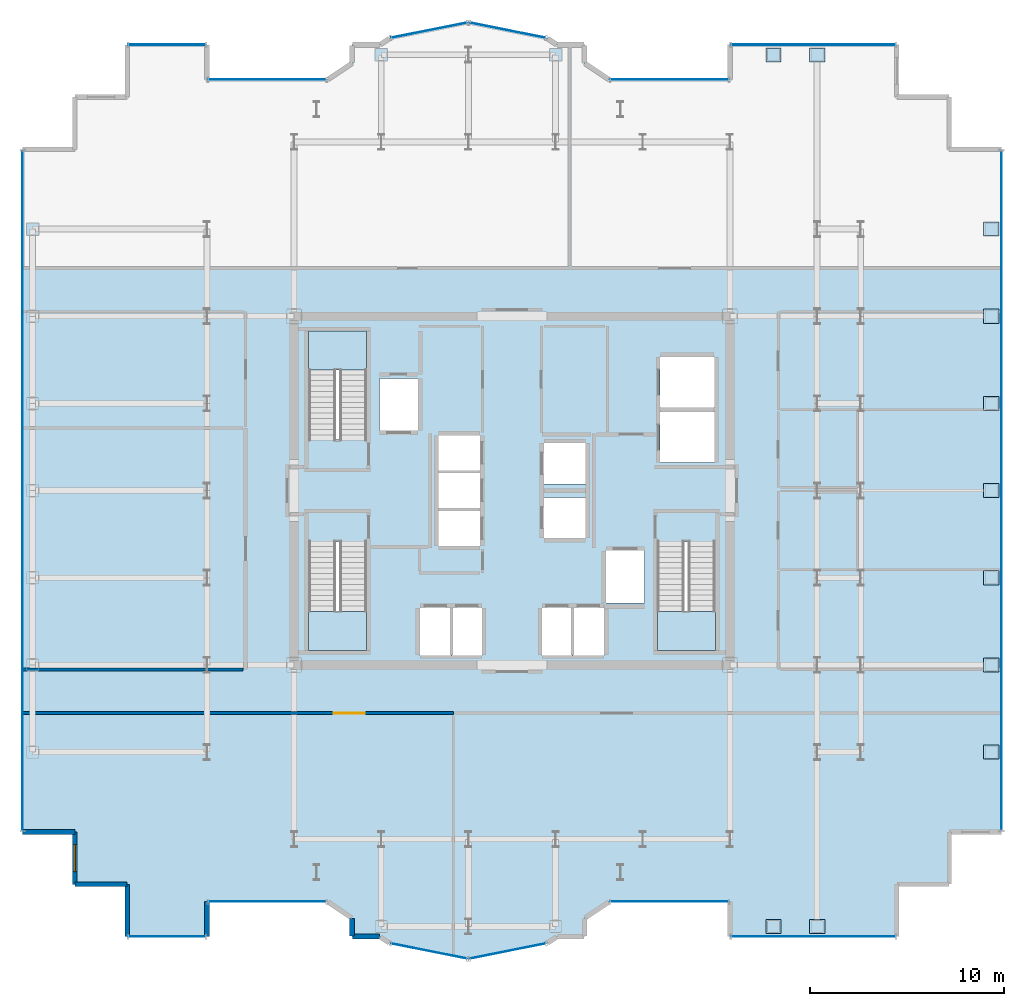
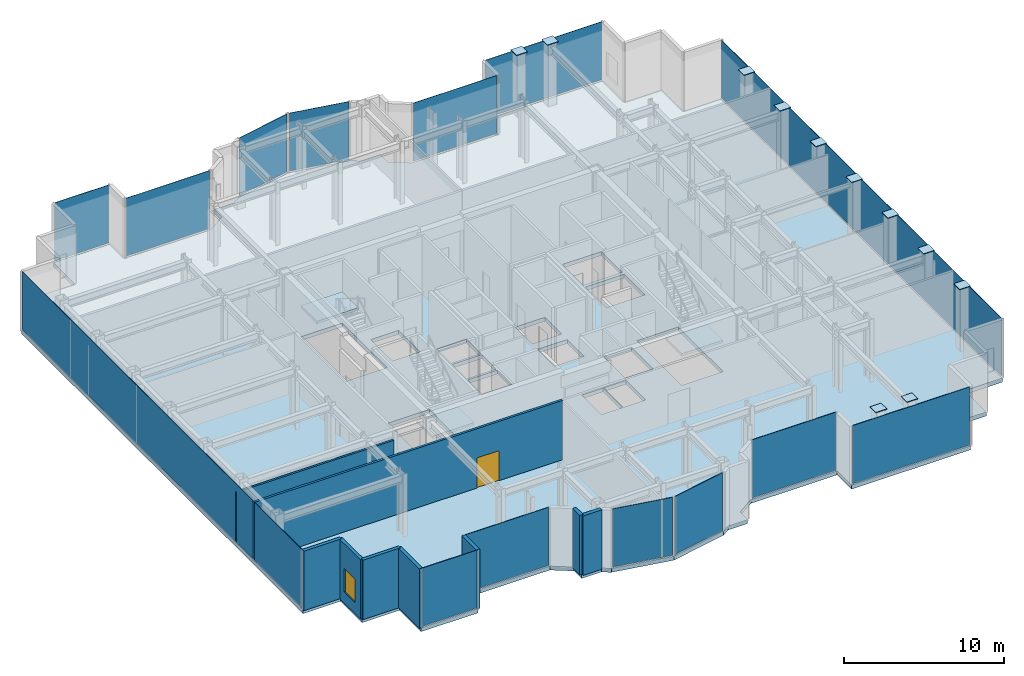
# One storey, part 13 of 20: 25 plates, 9 walls, 4 slabs, 1 door, 1 window, 2 openings, 17 elements without a shape of their own.
"""IFC4 building model written with IfcOpenShell, lengths in metres."""

from ifc_helpers import new_model, si_unit, direction, frame, frame_2d, origin, origin_2d, place, context, subcontext, project, spatial, polyline, rectangle, outline, extrude, source, transform, mapped, material, layer, layer_set, type_object, element, fill, aggregate, save


model = new_model("IFC4")

# Units and contexts
model_context = context("Model", 3, precision=1e-05, world=origin(), true_north=direction((0.0, 1.0)))
body_context = subcontext(model_context, "Body", "Model", "MODEL_VIEW")
ifc_project = project(units=[si_unit("LENGTHUNIT", "METRE"), si_unit("AREAUNIT", "SQUARE_METRE"), si_unit("VOLUMEUNIT", "CUBIC_METRE"), si_unit("PLANEANGLEUNIT", "RADIAN"), si_unit("MASSUNIT", "GRAM", prefix="KILO")], contexts=[model_context])

# Site, building, storey
site_placement = place(None, origin())
site = spatial("IfcSite", under=ifc_project, at=site_placement, CompositionType="ELEMENT")
building_placement = place(site_placement, origin())
building = spatial("IfcBuilding", under=site, at=building_placement, Name="Nefas-Gora Pilgrimage Tower", CompositionType="ELEMENT")
storey_placement = place(building_placement, frame((0.0, 0.0, 259.800048828125)))
storey = spatial("IfcBuildingStorey", under=building, at=storey_placement, Name="L65", CompositionType="ELEMENT", Elevation=259.800048828125)

# Slab
ifc_material_1 = material(Name="Concrete C45/55", Category="concrete")
ifc_layer_1 = layer(ifc_material_1, 0.300048828125)
ifc_layer_set_1 = layer_set([ifc_layer_1], Name="Concrete C45/55")
slab_type_1 = type_object("IfcSlabType", Name="SLB-SPEC-300", PredefinedType="FLOOR", material=ifc_layer_set_1)
slab_1_placement = place(storey_placement, frame((0.0, 0.0, -0.300048828125)))
element("IfcSlab", 1, at=slab_1_placement, inside=storey, type_object=slab_type_1, Name="L65 Structural Floor Slab", PredefinedType="FLOOR", context=body_context, shape_type="SweptSolid", body=[
    extrude(outline(polyline([(5.01806640625, -21.219970703125), (11.25, -21.219970703125), (11.25, -23.02001953125), (19.8701171875, -23.02001953125), (19.8701171875, -20.320068359375), (22.570068359375, -20.320068359375), (22.570068359375, -17.6201171875), (25.27001953125, -17.6201171875), (25.27001953125, 17.6201171875), (22.570068359375, 17.6201171875), (22.570068359375, 20.320068359375), (19.8701171875, 20.320068359375), (19.8701171875, 23.02001953125), (11.25, 23.02001953125), (11.25, 21.219970703125), (5.01806640625, 21.219970703125), (3.75, 22.0673828125), (3.75, 23.02001953125), (2.32421875, 23.02001953125), (1.807373046875, 23.365234375), (-2.25, 24.17236328125), (-6.307373046875, 23.365234375), (-6.82421875, 23.02001953125), (-8.25, 23.02001953125), (-8.25, 22.0673828125), (-9.51806640625, 21.219970703125), (-15.75, 21.219970703125), (-15.75, 23.02001953125), (-19.8701171875, 23.02001953125), (-19.8701171875, 20.320068359375), (-22.570068359375, 20.320068359375), (-22.570068359375, 17.6201171875), (-25.27001953125, 17.6201171875), (-25.27001953125, -17.6201171875), (-22.570068359375, -17.6201171875), (-22.570068359375, -20.320068359375), (-19.8701171875, -20.320068359375), (-19.8701171875, -23.02001953125), (-15.75, -23.02001953125), (-15.75, -21.219970703125), (-9.51806640625, -21.219970703125), (-8.25, -22.0673828125), (-8.25, -23.02001953125), (-6.82421875, -23.02001953125), (-6.307373046875, -23.365234375), (-2.25, -24.17236328125), (1.807373046875, -23.365234375), (2.32421875, -23.02001953125), (3.75, -23.02001953125), (3.75, -22.0673828125), (5.01806640625, -21.219970703125)]), holes=[polyline([(-10.5, 2.639892578125), (-10.5, 8.25), (-7.5, 8.25), (-7.5, 2.639892578125), (-10.5, 2.639892578125)]), polyline([(10.5, -2.639892578125), (10.5, -8.25), (7.5, -8.25), (7.5, -2.639892578125), (10.5, -2.639892578125)]), polyline([(-7.5, -2.639892578125), (-7.5, -8.25), (-10.5, -8.25), (-10.5, -2.639892578125), (-7.5, -2.639892578125)]), polyline([(-6.85009765625, 5.800048828125), (-4.85009765625, 5.800048828125), (-4.85009765625, 3.10009765625), (-6.85009765625, 3.10009765625), (-6.85009765625, 5.800048828125)]), polyline([(4.85009765625, -3.10009765625), (6.85009765625, -3.10009765625), (6.85009765625, -5.800048828125), (4.85009765625, -5.800048828125), (4.85009765625, -3.10009765625)]), polyline([(7.64990234375, 4.050048828125), (10.449951171875, 4.050048828125), (10.449951171875, 1.449951171875), (7.64990234375, 1.449951171875), (7.64990234375, 4.050048828125)]), polyline([(7.64990234375, 6.89990234375), (10.449951171875, 6.89990234375), (10.449951171875, 4.300048828125), (7.64990234375, 4.300048828125), (7.64990234375, 6.89990234375)]), polyline([(-4.75, -6.050048828125), (-3.14990234375, -6.050048828125), (-3.14990234375, -8.5), (-4.75, -8.5), (-4.75, -6.050048828125)]), polyline([(-3.10009765625, -6.050048828125), (-1.550048828125, -6.050048828125), (-1.550048828125, -8.5), (-3.10009765625, -8.5), (-3.10009765625, -6.050048828125)]), polyline([(1.550048828125, -6.050048828125), (3.10009765625, -6.050048828125), (3.10009765625, -8.5), (1.550048828125, -8.5), (1.550048828125, -6.050048828125)]), polyline([(3.14990234375, -6.050048828125), (4.75, -6.050048828125), (4.75, -8.5), (3.14990234375, -8.5), (3.14990234375, -6.050048828125)]), polyline([(-3.800048828125, -1.050048828125), (-1.64990234375, -1.050048828125), (-1.64990234375, -2.85009765625), (-3.800048828125, -2.85009765625), (-3.800048828125, -1.050048828125)]), polyline([(-3.800048828125, 0.89990234375), (-1.64990234375, 0.89990234375), (-1.64990234375, -0.89990234375), (-3.800048828125, -0.89990234375), (-3.800048828125, 0.89990234375)]), polyline([(-3.800048828125, 2.85009765625), (-1.64990234375, 2.85009765625), (-1.64990234375, 1.050048828125), (-3.800048828125, 1.050048828125), (-3.800048828125, 2.85009765625)]), polyline([(1.64990234375, -0.35009765625), (3.800048828125, -0.35009765625), (3.800048828125, -2.449951171875), (1.64990234375, -2.449951171875), (1.64990234375, -0.35009765625)]), polyline([(1.64990234375, 2.449951171875), (3.800048828125, 2.449951171875), (3.800048828125, 0.35009765625), (1.64990234375, 0.35009765625), (1.64990234375, 2.449951171875)])]), origin(), (0.0, 0.0, 1.0), 0.300048828125),
])

# Stair, slab
stair_type = type_object("IfcStairType", Name="STR-1400-R1714", PredefinedType="HALF_TURN_STAIR", material=ifc_material_1)
stair_1_placement = place(storey_placement, origin())
stair_1 = element("IfcStair", 2, at=stair_1_placement, inside=storey, type_object=stair_type, Name="L65 Pressurised Tower Exit Stair ST-01", PredefinedType="HALF_TURN_STAIR")
ifc_material_2 = material(Name="Concrete C40/50", Category="concrete")
ifc_layer_2 = layer(ifc_material_2, 0.199951171875)
ifc_layer_set_2 = layer_set([ifc_layer_2], Name="Concrete C40/50")
slab_type_2 = type_object("IfcSlabType", Name="STR-LAND-200", PredefinedType="LANDING", material=ifc_layer_set_2)
slab_2_placement = place(storey_placement, frame((0.0, 0.0, 2.199951171875)))
slab_2 = element("IfcSlab", 3, at=slab_2_placement, type_object=slab_type_2, Name="ST-01 landing 1", PredefinedType="LANDING", context=body_context, shape_type="SweptSolid", body=[
    extrude(outline(polyline([(-7.5, 6.239990234375), (-7.5, 8.25), (-10.5, 8.25), (-10.5, 6.239990234375), (-7.5, 6.239990234375)])), origin(), (0.0, 0.0, 1.0), 0.199951171875),
])
aggregate(stair_1, [slab_2])

stair_2_placement = place(storey_placement, origin())
stair_2 = element("IfcStair", 4, at=stair_2_placement, inside=storey, type_object=stair_type, Name="L65 Pressurised Tower Exit Stair ST-02", PredefinedType="HALF_TURN_STAIR")
slab_3_placement = place(storey_placement, frame((0.0, 0.0, 2.199951171875)))
slab_3 = element("IfcSlab", 5, at=slab_3_placement, type_object=slab_type_2, Name="ST-02 landing 1", PredefinedType="LANDING", context=body_context, shape_type="SweptSolid", body=[
    extrude(outline(polyline([(7.5, -6.239990234375), (7.5, -8.25), (10.5, -8.25), (10.5, -6.239990234375), (7.5, -6.239990234375)])), origin(), (0.0, 0.0, 1.0), 0.199951171875),
])
aggregate(stair_2, [slab_3])

stair_3_placement = place(storey_placement, origin())
stair_3 = element("IfcStair", 6, at=stair_3_placement, inside=storey, type_object=stair_type, Name="L65 Pressurised Tower Exit Stair ST-03", PredefinedType="HALF_TURN_STAIR")
slab_4_placement = place(storey_placement, frame((0.0, 0.0, 2.199951171875)))
slab_4 = element("IfcSlab", 7, at=slab_4_placement, type_object=slab_type_2, Name="ST-03 landing 1", PredefinedType="LANDING", context=body_context, shape_type="SweptSolid", body=[
    extrude(outline(polyline([(-10.5, -6.239990234375), (-10.5, -8.25), (-7.5, -8.25), (-7.5, -6.239990234375), (-10.5, -6.239990234375)])), origin(), (0.0, 0.0, 1.0), 0.199951171875),
])
aggregate(stair_3, [slab_4])

# Plates
ifc_material_3 = material(Name="Steel S460", Category="steel")
ifc_layer_3 = layer(ifc_material_3, 0.0400390625)
ifc_layer_set_3 = layer_set([ifc_layer_3], Name="Steel S460")
plate_type_1 = type_object("IfcPlateType", Name="PLT-ENDCAP-40", PredefinedType="SHEET", material=ifc_layer_set_3)
shared_shape_1 = source(origin(), body_context, "Body", "SweptSolid", [
    extrude(rectangle(XDim=0.79296875, YDim=0.72998046875, at=origin_2d()), origin(), (0.0, 0.0, 1.0), 0.050048828125),
])
for number, where, z_axis, x_axis, name in (
    (8, (13.5, -22.5, 4.77490234375), (0.0, 0.0, 1.0), (1.0, 0.0, 0.0), "L65 Setback Hollow Column Top Cap Plate 45"),
    (9, (13.5, 22.5, 4.77490234375), (0.0, 0.0, 1.0), (1.0, 0.0, 0.0), "L65 Setback Hollow Column Top Cap Plate 46"),
    (10, (15.75, -22.5, 4.77490234375), (0.0, 0.0, 1.0), (1.0, 0.0, 0.0), "L65 Setback Hollow Column Top Cap Plate 47"),
    (11, (15.75, 22.5, 4.77490234375), (0.0, 0.0, 1.0), (1.0, 0.0, 0.0), "L65 Setback Hollow Column Top Cap Plate 48"),
    (12, (24.75, -13.5, 4.77490234375), (0.0, 0.0, 1.0), (1.0, 0.0, 0.0), "L65 Setback Hollow Column Top Cap Plate 49"),
    (13, (24.75, -9.0, 4.77490234375), (0.0, 0.0, 1.0), (1.0, 0.0, 0.0), "L65 Setback Hollow Column Top Cap Plate 50"),
    (14, (24.75, -4.5, 4.77490234375), (0.0, 0.0, 1.0), (1.0, 0.0, 0.0), "L65 Setback Hollow Column Top Cap Plate 51"),
    (15, (24.75, 0.0, 4.77490234375), (0.0, 0.0, 1.0), (1.0, 0.0, 0.0), "L65 Setback Hollow Column Top Cap Plate 52"),
    (16, (24.75, 4.5, 4.77490234375), (0.0, 0.0, 1.0), (1.0, 0.0, 0.0), "L65 Setback Hollow Column Top Cap Plate 53"),
    (17, (24.75, 9.0, 4.77490234375), (0.0, 0.0, 1.0), (1.0, 0.0, 0.0), "L65 Setback Hollow Column Top Cap Plate 54"),
    (18, (24.75, 13.5, 4.77490234375), (0.0, 0.0, 1.0), (1.0, 0.0, 0.0), "L65 Setback Hollow Column Top Cap Plate 55"),
):
    element("IfcPlate", number, at=place(storey_placement, frame(where, z_axis=z_axis, x_axis=x_axis)), inside=storey, type_object=plate_type_1, Name=name, PredefinedType="SHEET", context=body_context, shape_type="MappedRepresentation", body=[
        mapped(shared_shape_1, transform((0.0, 0.0, 0.0), x_axis=(1.0, 0.0, 0.0), y_axis=(0.0, 1.0, 0.0), z_axis=(0.0, 0.0, 1.0), scale=1.0)),
    ])

# Curtain wall, plate
ifc_material_4 = material(Name="Dark ceramic-fritted solar-control aluminium-glass curtain wall", Category="aluminium")
ifc_layer_4 = layer(ifc_material_4, 0.219970703125)
ifc_layer_set_4 = layer_set([ifc_layer_4], Name="Dark ceramic-fritted solar-control aluminium-glass curtain wall")
curtain_wall_type_1 = type_object("IfcCurtainWallType", Name="CW-SYS-5", PredefinedType="NOTDEFINED", material=ifc_layer_set_4)
curtain_wall_1_placement = place(storey_placement, origin())
curtain_wall_1 = element("IfcCurtainWall", 19, at=curtain_wall_1_placement, inside=storey, type_object=curtain_wall_type_1, Name="L65 Unitised Curtain Wall CW5", PredefinedType="NOTDEFINED")
ifc_material_5 = material(Name="Dark ceramic-printed low-e insulated glass", Category="glass")
ifc_layer_5 = layer(ifc_material_5, 0.028076171875)
ifc_layer_set_5 = layer_set([ifc_layer_5], Name="Dark ceramic-printed low-e insulated glass")
plate_type_2 = type_object("IfcPlateType", Name="CWP-PNL-5", PredefinedType="CURTAIN_PANEL", material=ifc_layer_set_5)
shared_shape_2 = source(origin(), body_context, "Body", "SweptSolid", [
    extrude(rectangle(XDim=6.052001953125, YDim=0.028076171875, at=origin_2d()), origin(), (0.0, 0.0, 1.0), 4.43994140625),
])
plate_1_placement = place(storey_placement, frame((8.134033203125, -21.219970703125, 0.10009765625), z_axis=(0.0, 0.0, 1.0), x_axis=(1.0, 0.0, 0.0)))
plate_1 = element("IfcPlate", 20, at=plate_1_placement, type_object=plate_type_2, Name="CW5 Ceramic-Fritted Glazing Panel 1", PredefinedType="CURTAIN_PANEL", context=body_context, shape_type="MappedRepresentation", body=[
    mapped(shared_shape_2, transform((0.0, 0.0, 0.0), x_axis=(1.0, 0.0, 0.0), y_axis=(0.0, 1.0, 0.0), z_axis=(0.0, 0.0, 1.0), scale=1.0)),
])
aggregate(curtain_wall_1, [plate_1])

curtain_wall_2_placement = place(storey_placement, origin())
curtain_wall_2 = element("IfcCurtainWall", 21, at=curtain_wall_2_placement, inside=storey, type_object=curtain_wall_type_1, Name="L65 Unitised Curtain Wall CW5", PredefinedType="NOTDEFINED")
plate_2_placement = place(storey_placement, frame((8.134033203125, 21.219970703125, 0.10009765625), z_axis=(0.0, 0.0, 1.0), x_axis=(-1.0, 0.0, 0.0)))
plate_2 = element("IfcPlate", 22, at=plate_2_placement, type_object=plate_type_2, Name="CW5 Ceramic-Fritted Glazing Panel 1", PredefinedType="CURTAIN_PANEL", context=body_context, shape_type="MappedRepresentation", body=[
    mapped(shared_shape_2, transform((0.0, 0.0, 0.0), x_axis=(1.0, 0.0, 0.0), y_axis=(0.0, 1.0, 0.0), z_axis=(0.0, 0.0, 1.0), scale=1.0)),
])
aggregate(curtain_wall_2, [plate_2])

curtain_wall_3_placement = place(storey_placement, origin())
curtain_wall_3 = element("IfcCurtainWall", 23, at=curtain_wall_3_placement, inside=storey, type_object=curtain_wall_type_1, Name="L65 Unitised Curtain Wall CW5", PredefinedType="NOTDEFINED")
plate_3_placement = place(storey_placement, frame((-12.634033203125, 21.219970703125, 0.10009765625), z_axis=(0.0, 0.0, 1.0), x_axis=(-1.0, 0.0, 0.0)))
plate_3 = element("IfcPlate", 24, at=plate_3_placement, type_object=plate_type_2, Name="CW5 Ceramic-Fritted Glazing Panel 1", PredefinedType="CURTAIN_PANEL", context=body_context, shape_type="MappedRepresentation", body=[
    mapped(shared_shape_2, transform((0.0, 0.0, 0.0), x_axis=(1.0, 0.0, 0.0), y_axis=(0.0, 1.0, 0.0), z_axis=(0.0, 0.0, 1.0), scale=1.0)),
])
aggregate(curtain_wall_3, [plate_3])

curtain_wall_4_placement = place(storey_placement, origin())
curtain_wall_4 = element("IfcCurtainWall", 25, at=curtain_wall_4_placement, inside=storey, type_object=curtain_wall_type_1, Name="L65 Unitised Curtain Wall CW5", PredefinedType="NOTDEFINED")
plate_4_placement = place(storey_placement, frame((-12.634033203125, -21.219970703125, 0.10009765625), z_axis=(0.0, 0.0, 1.0), x_axis=(1.0, 0.0, 0.0)))
plate_4 = element("IfcPlate", 26, at=plate_4_placement, type_object=plate_type_2, Name="CW5 Ceramic-Fritted Glazing Panel 1", PredefinedType="CURTAIN_PANEL", context=body_context, shape_type="MappedRepresentation", body=[
    mapped(shared_shape_2, transform((0.0, 0.0, 0.0), x_axis=(1.0, 0.0, 0.0), y_axis=(0.0, 1.0, 0.0), z_axis=(0.0, 0.0, 1.0), scale=1.0)),
])
aggregate(curtain_wall_4, [plate_4])

curtain_wall_5_placement = place(storey_placement, origin())
curtain_wall_5 = element("IfcCurtainWall", 27, at=curtain_wall_5_placement, inside=storey, type_object=curtain_wall_type_1, Name="L65 Unitised Curtain Wall CW5", PredefinedType="NOTDEFINED")
shared_shape_3 = source(origin(), body_context, "Body", "SweptSolid", [
    extrude(rectangle(XDim=3.956787109375, YDim=0.028076171875, at=origin_2d()), origin(), (0.0, 0.0, 1.0), 4.43994140625),
])
plate_5_placement = place(storey_placement, frame((-0.22119140625, 23.768798828125, 0.10009765625), z_axis=(0.0, 0.0, 1.0), x_axis=(-0.980782896852, 0.195102304554, 0.0)))
plate_5 = element("IfcPlate", 28, at=plate_5_placement, type_object=plate_type_2, Name="CW5 Ceramic-Fritted Glazing Panel 1", PredefinedType="CURTAIN_PANEL", context=body_context, shape_type="MappedRepresentation", body=[
    mapped(shared_shape_3, transform((0.0, 0.0, 0.0), x_axis=(1.0, 0.0, 0.0), y_axis=(0.0, 1.0, 0.0), z_axis=(0.0, 0.0, 1.0), scale=1.0)),
])
aggregate(curtain_wall_5, [plate_5])

curtain_wall_6_placement = place(storey_placement, origin())
curtain_wall_6 = element("IfcCurtainWall", 29, at=curtain_wall_6_placement, inside=storey, type_object=curtain_wall_type_1, Name="L65 Unitised Curtain Wall CW5", PredefinedType="NOTDEFINED")
plate_6_placement = place(storey_placement, frame((-4.278564453125, 23.768798828125, 0.10009765625), z_axis=(0.0, 0.0, 1.0), x_axis=(-0.980782896852, -0.195102304554, 0.0)))
plate_6 = element("IfcPlate", 30, at=plate_6_placement, type_object=plate_type_2, Name="CW5 Ceramic-Fritted Glazing Panel 1", PredefinedType="CURTAIN_PANEL", context=body_context, shape_type="MappedRepresentation", body=[
    mapped(shared_shape_3, transform((0.0, 0.0, 0.0), x_axis=(1.0, 0.0, 0.0), y_axis=(0.0, 1.0, 0.0), z_axis=(0.0, 0.0, 1.0), scale=1.0)),
])
aggregate(curtain_wall_6, [plate_6])

curtain_wall_7_placement = place(storey_placement, origin())
curtain_wall_7 = element("IfcCurtainWall", 31, at=curtain_wall_7_placement, inside=storey, type_object=curtain_wall_type_1, Name="L65 Unitised Curtain Wall CW5", PredefinedType="NOTDEFINED")
plate_7_placement = place(storey_placement, frame((-4.278564453125, -23.768798828125, 0.10009765625), z_axis=(0.0, 0.0, 1.0), x_axis=(0.980782896852, -0.195102304554, 0.0)))
plate_7 = element("IfcPlate", 32, at=plate_7_placement, type_object=plate_type_2, Name="CW5 Ceramic-Fritted Glazing Panel 1", PredefinedType="CURTAIN_PANEL", context=body_context, shape_type="MappedRepresentation", body=[
    mapped(shared_shape_3, transform((0.0, 0.0, 0.0), x_axis=(1.0, 0.0, 0.0), y_axis=(0.0, 1.0, 0.0), z_axis=(0.0, 0.0, 1.0), scale=1.0)),
])
aggregate(curtain_wall_7, [plate_7])

curtain_wall_8_placement = place(storey_placement, origin())
curtain_wall_8 = element("IfcCurtainWall", 33, at=curtain_wall_8_placement, inside=storey, type_object=curtain_wall_type_1, Name="L65 Unitised Curtain Wall CW5", PredefinedType="NOTDEFINED")
plate_8_placement = place(storey_placement, frame((-0.221435546875, -23.768798828125, 0.10009765625), z_axis=(0.0, 0.0, 1.0), x_axis=(0.980782896852, 0.195102304554, 0.0)))
plate_8 = element("IfcPlate", 34, at=plate_8_placement, type_object=plate_type_2, Name="CW5 Ceramic-Fritted Glazing Panel 1", PredefinedType="CURTAIN_PANEL", context=body_context, shape_type="MappedRepresentation", body=[
    mapped(shared_shape_3, transform((0.0, 0.0, 0.0), x_axis=(1.0, 0.0, 0.0), y_axis=(0.0, 1.0, 0.0), z_axis=(0.0, 0.0, 1.0), scale=1.0)),
])
aggregate(curtain_wall_8, [plate_8])

ifc_layer_6 = layer(ifc_material_4, 0.219970703125)
ifc_layer_set_6 = layer_set([ifc_layer_6], Name="Dark ceramic-fritted solar-control aluminium-glass curtain wall")
curtain_wall_type_2 = type_object("IfcCurtainWallType", Name="CW-SYS-3", PredefinedType="NOTDEFINED", material=ifc_layer_set_6)
curtain_wall_9_placement = place(storey_placement, origin())
curtain_wall_9 = element("IfcCurtainWall", 35, at=curtain_wall_9_placement, inside=storey, type_object=curtain_wall_type_2, Name="L65 Unitised Curtain Wall CW3", PredefinedType="NOTDEFINED")
ifc_layer_7 = layer(ifc_material_5, 0.033935546875)
ifc_layer_set_7 = layer_set([ifc_layer_7], Name="Dark ceramic-printed low-e insulated glass")
plate_type_3 = type_object("IfcPlateType", Name="CWP-PNL-3", PredefinedType="CURTAIN_PANEL", material=ifc_layer_set_7)
shared_shape_4 = source(origin(), body_context, "Body", "SweptSolid", [
    extrude(rectangle(XDim=8.43994140625, YDim=0.033935546875, at=origin_2d()), origin(), (0.0, 0.0, 1.0), 4.43994140625),
])
plate_9_placement = place(storey_placement, frame((15.56005859375, -23.02001953125, 0.10009765625), z_axis=(0.0, 0.0, 1.0), x_axis=(1.0, 0.0, 0.0)))
plate_9 = element("IfcPlate", 36, at=plate_9_placement, type_object=plate_type_3, Name="CW3 Ceramic-Fritted Glazing Panel 1", PredefinedType="CURTAIN_PANEL", context=body_context, shape_type="MappedRepresentation", body=[
    mapped(shared_shape_4, transform((0.0, 0.0, 0.0), x_axis=(1.0, 0.0, 0.0), y_axis=(0.0, 1.0, 0.0), z_axis=(0.0, 0.0, 1.0), scale=1.0)),
])
aggregate(curtain_wall_9, [plate_9])

curtain_wall_10_placement = place(storey_placement, origin())
curtain_wall_10 = element("IfcCurtainWall", 37, at=curtain_wall_10_placement, inside=storey, type_object=curtain_wall_type_2, Name="L65 Unitised Curtain Wall CW3", PredefinedType="NOTDEFINED")
plate_10_placement = place(storey_placement, frame((15.56005859375, 23.02001953125, 0.10009765625), z_axis=(0.0, 0.0, 1.0), x_axis=(-1.0, 0.0, 0.0)))
plate_10 = element("IfcPlate", 38, at=plate_10_placement, type_object=plate_type_3, Name="CW3 Ceramic-Fritted Glazing Panel 1", PredefinedType="CURTAIN_PANEL", context=body_context, shape_type="MappedRepresentation", body=[
    mapped(shared_shape_4, transform((0.0, 0.0, 0.0), x_axis=(1.0, 0.0, 0.0), y_axis=(0.0, 1.0, 0.0), z_axis=(0.0, 0.0, 1.0), scale=1.0)),
])
aggregate(curtain_wall_10, [plate_10])

curtain_wall_11_placement = place(storey_placement, origin())
curtain_wall_11 = element("IfcCurtainWall", 39, at=curtain_wall_11_placement, inside=storey, type_object=curtain_wall_type_2, Name="L65 Unitised Curtain Wall CW3", PredefinedType="NOTDEFINED")
shared_shape_5 = source(origin(), body_context, "Body", "SweptSolid", [
    extrude(rectangle(XDim=35.06005859375, YDim=0.033935546875, at=origin_2d()), origin(), (0.0, 0.0, 1.0), 4.43994140625),
])
plate_11_placement = place(storey_placement, frame((25.27001953125, 0.0, 0.10009765625), z_axis=(0.0, 0.0, 1.0), x_axis=(0.0, 1.0, 0.0)))
plate_11 = element("IfcPlate", 40, at=plate_11_placement, type_object=plate_type_3, Name="CW3 Ceramic-Fritted Glazing Panel 1", PredefinedType="CURTAIN_PANEL", context=body_context, shape_type="MappedRepresentation", body=[
    mapped(shared_shape_5, transform((0.0, 0.0, 0.0), x_axis=(1.0, 0.0, 0.0), y_axis=(0.0, 1.0, 0.0), z_axis=(0.0, 0.0, 1.0), scale=1.0)),
])
aggregate(curtain_wall_11, [plate_11])

curtain_wall_12_placement = place(storey_placement, origin())
curtain_wall_12 = element("IfcCurtainWall", 41, at=curtain_wall_12_placement, inside=storey, type_object=curtain_wall_type_2, Name="L65 Unitised Curtain Wall CW3", PredefinedType="NOTDEFINED")
plate_12_placement = place(storey_placement, frame((-25.27001953125, 0.0, 0.10009765625), z_axis=(0.0, 0.0, 1.0), x_axis=(0.0, -1.0, 0.0)))
plate_12 = element("IfcPlate", 42, at=plate_12_placement, type_object=plate_type_3, Name="CW3 Ceramic-Fritted Glazing Panel 1", PredefinedType="CURTAIN_PANEL", context=body_context, shape_type="MappedRepresentation", body=[
    mapped(shared_shape_5, transform((0.0, 0.0, 0.0), x_axis=(1.0, 0.0, 0.0), y_axis=(0.0, 1.0, 0.0), z_axis=(0.0, 0.0, 1.0), scale=1.0)),
])
aggregate(curtain_wall_12, [plate_12])

curtain_wall_13_placement = place(storey_placement, origin())
curtain_wall_13 = element("IfcCurtainWall", 43, at=curtain_wall_13_placement, inside=storey, type_object=curtain_wall_type_2, Name="L65 Unitised Curtain Wall CW3", PredefinedType="NOTDEFINED")
shared_shape_6 = source(origin(), body_context, "Body", "SweptSolid", [
    extrude(rectangle(XDim=3.93994140625, YDim=0.033935546875, at=origin_2d()), origin(), (0.0, 0.0, 1.0), 4.43994140625),
])
plate_13_placement = place(storey_placement, frame((-17.81005859375, 23.02001953125, 0.10009765625), z_axis=(0.0, 0.0, 1.0), x_axis=(-1.0, 0.0, 0.0)))
plate_13 = element("IfcPlate", 44, at=plate_13_placement, type_object=plate_type_3, Name="CW3 Ceramic-Fritted Glazing Panel 1", PredefinedType="CURTAIN_PANEL", context=body_context, shape_type="MappedRepresentation", body=[
    mapped(shared_shape_6, transform((0.0, 0.0, 0.0), x_axis=(1.0, 0.0, 0.0), y_axis=(0.0, 1.0, 0.0), z_axis=(0.0, 0.0, 1.0), scale=1.0)),
])
aggregate(curtain_wall_13, [plate_13])

curtain_wall_14_placement = place(storey_placement, origin())
curtain_wall_14 = element("IfcCurtainWall", 45, at=curtain_wall_14_placement, inside=storey, type_object=curtain_wall_type_2, Name="L65 Unitised Curtain Wall CW3", PredefinedType="NOTDEFINED")
plate_14_placement = place(storey_placement, frame((-17.81005859375, -23.02001953125, 0.10009765625), z_axis=(0.0, 0.0, 1.0), x_axis=(1.0, 0.0, 0.0)))
plate_14 = element("IfcPlate", 46, at=plate_14_placement, type_object=plate_type_3, Name="CW3 Ceramic-Fritted Glazing Panel 1", PredefinedType="CURTAIN_PANEL", context=body_context, shape_type="MappedRepresentation", body=[
    mapped(shared_shape_6, transform((0.0, 0.0, 0.0), x_axis=(1.0, 0.0, 0.0), y_axis=(0.0, 1.0, 0.0), z_axis=(0.0, 0.0, 1.0), scale=1.0)),
])
aggregate(curtain_wall_14, [plate_14])

# Walls
ifc_material_6 = material(Name="Precast concrete C40/50", Category="concrete")
ifc_layer_8 = layer(ifc_material_6, 0.260009765625)
ifc_layer_set_8 = layer_set([ifc_layer_8], Name="Precast concrete C40/50")
wall_type_1 = type_object("IfcWallType", Name="EW-PORTAL-260", PredefinedType="SOLIDWALL", material=ifc_layer_set_8)
shared_shape_7 = source(origin(), body_context, "Body", "SweptSolid", [
    extrude(rectangle(XDim=1.800048828125, YDim=0.260009765625, at=frame_2d((0.89990234375, 0.0))), origin(), (0.0, 0.0, 1.0), 4.550048828125),
])
wall_1_placement = place(storey_placement, frame((-15.75, -23.02001953125, 0.0), z_axis=(0.0, 0.0, 1.0), x_axis=(0.0, 1.0, 0.0)))
element("IfcWall", 47, at=wall_1_placement, inside=storey, type_object=wall_type_1, Name="L65 Lobe Shoulder Precast Spandrel Pier 28", PredefinedType="SOLIDWALL", context=body_context, shape_type="MappedRepresentation", body=[
    mapped(shared_shape_7, transform((0.0, 0.0, 0.0), x_axis=(1.0, 0.0, 0.0), y_axis=(0.0, 1.0, 0.0), z_axis=(0.0, 0.0, 1.0), scale=1.0)),
])
ifc_material_7 = material(Name="Precast concrete C45/55", Category="concrete")
ifc_layer_9 = layer(ifc_material_7, 0.239990234375)
ifc_layer_set_9 = layer_set([ifc_layer_9], Name="Precast concrete C45/55")
wall_type_2 = type_object("IfcWallType", Name="EW-SERR-240", PredefinedType="SHEAR", material=ifc_layer_set_9)
shared_shape_8 = source(origin(), body_context, "Body", "SweptSolid", [
    extrude(rectangle(XDim=2.699951171875, YDim=0.239990234375, at=frame_2d((1.35009765625, 0.0))), origin(), (0.0, 0.0, 1.0), 4.550048828125),
])
wall_2_placement = place(storey_placement, frame((-25.27001953125, -17.6201171875, 0.0), z_axis=(0.0, 0.0, 1.0), x_axis=(1.0, 0.0, 0.0)))
element("IfcWall", 48, at=wall_2_placement, inside=storey, type_object=wall_type_2, Name="L65 Serrated Corner Shear Pier Wall 24", PredefinedType="SHEAR", context=body_context, shape_type="MappedRepresentation", body=[
    mapped(shared_shape_8, transform((0.0, 0.0, 0.0), x_axis=(1.0, 0.0, 0.0), y_axis=(0.0, 1.0, 0.0), z_axis=(0.0, 0.0, 1.0), scale=1.0)),
])

# Wall, opening, window
wall_3_placement = place(storey_placement, frame((-22.570068359375, -17.6201171875, 0.0), z_axis=(0.0, 0.0, 1.0), x_axis=(0.0, -1.0, 0.0)))
wall_3 = element("IfcWall", 49, at=wall_3_placement, inside=storey, type_object=wall_type_2, Name="L65 Serrated Corner Shear Pier Wall 25", PredefinedType="SHEAR", context=body_context, shape_type="MappedRepresentation", body=[
    mapped(shared_shape_8, transform((0.0, 0.0, 0.0), x_axis=(1.0, 0.0, 0.0), y_axis=(0.0, 1.0, 0.0), z_axis=(0.0, 0.0, 1.0), scale=1.0)),
])
opening_1_placement = place(wall_3_placement, frame((0.64990234375, 0.0, 0.85009765625)))
opening_1 = element("IfcOpeningElement", 50, at=opening_1_placement, cuts=wall_3, Name="Opening W-V2", PredefinedType="OPENING", context=body_context, shape_type="SweptSolid", body=[
    extrude(rectangle(XDim=1.39990234375, YDim=1.800048828125, at=frame_2d((0.699951171875, 0.89990234375))), frame((0.0, 0.1298828125, 0.0), z_axis=(0.0, -1.0, 0.0), x_axis=(1.0, 0.0, 0.0)), (0.0, 0.0, 1.0), 0.260009765625),
])
ifc_material_8 = material(Name="Dark ceramic-fritted operable aluminium-glass window", Category="aluminium")
window_type = type_object("IfcWindowType", Name="WIN-VENT-1400x1800", PartitioningType="SINGLE_PANEL", PredefinedType="WINDOW", material=ifc_material_8)
shared_shape_9 = source(origin(), body_context, "Body", "SweptSolid", [
    extrude(rectangle(XDim=1.39990234375, YDim=1.800048828125, at=frame_2d((0.699951171875, 0.89990234375))), frame((0.0, 0.030029296875, 0.0), z_axis=(0.0, -1.0, 0.0), x_axis=(1.0, 0.0, 0.0)), (0.0, 0.0, 1.0), 0.06005859375),
])
window_placement = place(opening_1_placement, origin())
window = element("IfcWindow", 51, at=window_placement, inside=storey, type_object=window_type, Name="L65 Operable Parallel-Outswing Window 25", OverallHeight=1.800048828125, OverallWidth=1.39990234375, PartitioningType="SINGLE_PANEL", PredefinedType="WINDOW", context=body_context, shape_type="MappedRepresentation", body=[
    mapped(shared_shape_9, transform((0.0, 0.0, 0.0), x_axis=(1.0, 0.0, 0.0), y_axis=(0.0, 1.0, 0.0), z_axis=(0.0, 0.0, 1.0), scale=1.0)),
])
fill(opening_1, window)

# Walls
for number, where, z_axis, x_axis, name in (
    (52, (-22.570068359375, -20.320068359375, 0.0), (0.0, 0.0, 1.0), (1.0, 0.0, 0.0), "L65 Serrated Corner Shear Pier Wall 26"),
    (53, (-19.8701171875, -20.320068359375, 0.0), (0.0, 0.0, 1.0), (0.0, -1.0, 0.0), "L65 Serrated Corner Shear Pier Wall 27"),
):
    element("IfcWall", number, at=place(storey_placement, frame(where, z_axis=z_axis, x_axis=x_axis)), inside=storey, type_object=wall_type_2, Name=name, PredefinedType="SHEAR", context=body_context, shape_type="MappedRepresentation", body=[
        mapped(shared_shape_8, transform((0.0, 0.0, 0.0), x_axis=(1.0, 0.0, 0.0), y_axis=(0.0, 1.0, 0.0), z_axis=(0.0, 0.0, 1.0), scale=1.0)),
    ])
shared_shape_10 = source(origin(), body_context, "Body", "SweptSolid", [
    extrude(rectangle(XDim=0.896728515625, YDim=0.260009765625, at=frame_2d((0.4482421875, 0.0))), origin(), (0.0, 0.0, 1.0), 4.550048828125),
])
wall_4_placement = place(storey_placement, frame((-8.25, -22.09521484375, 0.0), z_axis=(0.0, 0.0, 1.0), x_axis=(0.0, -1.0, 0.0)))
element("IfcWall", 54, at=wall_4_placement, inside=storey, type_object=wall_type_1, Name="L65 Lobe Shoulder Precast Spandrel Pier 30", PredefinedType="SOLIDWALL", context=body_context, shape_type="MappedRepresentation", body=[
    mapped(shared_shape_10, transform((0.0, 0.0, 0.0), x_axis=(1.0, 0.0, 0.0), y_axis=(0.0, 1.0, 0.0), z_axis=(0.0, 0.0, 1.0), scale=1.0)),
])
shared_shape_11 = source(origin(), body_context, "Body", "SweptSolid", [
    extrude(rectangle(XDim=1.369873046875, YDim=0.260009765625, at=frame_2d((0.68505859375, 0.0))), origin(), (0.0, 0.0, 1.0), 4.550048828125),
])
wall_5_placement = place(storey_placement, frame((-8.221923828125, -23.02001953125, 0.0), z_axis=(0.0, 0.0, 1.0), x_axis=(1.0, 0.0, 0.0)))
element("IfcWall", 55, at=wall_5_placement, inside=storey, type_object=wall_type_1, Name="L65 Lobe Shoulder Precast Spandrel Pier 31", PredefinedType="SOLIDWALL", context=body_context, shape_type="MappedRepresentation", body=[
    mapped(shared_shape_11, transform((0.0, 0.0, 0.0), x_axis=(1.0, 0.0, 0.0), y_axis=(0.0, 1.0, 0.0), z_axis=(0.0, 0.0, 1.0), scale=1.0)),
])

# Wall, opening, door
ifc_material_9 = material(Name="Gypsum acoustic stud partition")
ifc_layer_10 = layer(ifc_material_9, 0.159912109375)
ifc_layer_set_10 = layer_set([ifc_layer_10], Name="Gypsum acoustic stud partition")
wall_type_3 = type_object("IfcWallType", Name="IW-CORR-160", PredefinedType="PARTITIONING", material=ifc_layer_set_10)
shared_shape_12 = source(origin(), body_context, "Body", "SweptSolid", [
    extrude(rectangle(XDim=22.27001953125, YDim=0.159912109375, at=frame_2d((11.135009765625, 0.0))), origin(), (0.0, 0.0, 1.0), 4.534912109375),
])
wall_6_placement = place(storey_placement, frame((-25.2900390625, -11.47998046875, 0.0), z_axis=(0.0, 0.0, 1.0), x_axis=(1.0, 0.0, 0.0)))
wall_6 = element("IfcWall", 56, at=wall_6_placement, inside=storey, type_object=wall_type_3, Name="L65 Highland Coffee and Tea Refectory Partition Wall 28", PredefinedType="PARTITIONING", context=body_context, shape_type="MappedRepresentation", body=[
    mapped(shared_shape_12, transform((0.0, 0.0, 0.0), x_axis=(1.0, 0.0, 0.0), y_axis=(0.0, 1.0, 0.0), z_axis=(0.0, 0.0, 1.0), scale=1.0)),
])
opening_2_placement = place(wall_6_placement, frame((16.090087890625, 0.0, 0.0)))
opening_2 = element("IfcOpeningElement", 57, at=opening_2_placement, cuts=wall_6, Name="Opening ID-HL1", PredefinedType="OPENING", context=body_context, shape_type="SweptSolid", body=[
    extrude(rectangle(XDim=1.60009765625, YDim=2.300048828125, at=frame_2d((0.800048828125, 1.14990234375))), frame((0.0, 0.08984375, 0.0), z_axis=(0.0, -1.0, 0.0), x_axis=(1.0, 0.0, 0.0)), (0.0, 0.0, 1.0), 0.179931640625),
])
ifc_material_10 = material(Name="Double acoustic timber assembly hall door", Category="wood")
door_type = type_object("IfcDoorType", Name="DR-INT-HALL-1600", OperationType="DOUBLE_DOOR_SINGLE_SWING", PredefinedType="DOOR", material=ifc_material_10)
shared_shape_13 = source(origin(), body_context, "Body", "SweptSolid", [
    extrude(rectangle(XDim=1.60009765625, YDim=2.300048828125, at=frame_2d((0.800048828125, 1.14990234375))), frame((0.0, 0.02490234375, 0.0), z_axis=(0.0, -1.0, 0.0), x_axis=(1.0, 0.0, 0.0)), (0.0, 0.0, 1.0), 0.050048828125),
])
door_placement = place(opening_2_placement, origin())
door = element("IfcDoor", 58, at=door_placement, inside=storey, type_object=door_type, Name="L65 Highland Coffee and Tea Refectory Door 12", OperationType="DOUBLE_DOOR_SINGLE_SWING", OverallHeight=2.300048828125, OverallWidth=1.60009765625, PredefinedType="DOOR", context=body_context, shape_type="MappedRepresentation", body=[
    mapped(shared_shape_13, transform((0.0, 0.0, 0.0), x_axis=(1.0, 0.0, 0.0), y_axis=(0.0, 1.0, 0.0), z_axis=(0.0, 0.0, 1.0), scale=1.0)),
])
fill(opening_2, door)

# Wall
ifc_material_11 = material(Name="Gypsum twin-stud partition")
ifc_layer_11 = layer(ifc_material_11, 0.139892578125)
ifc_layer_set_11 = layer_set([ifc_layer_11], Name="Gypsum twin-stud partition")
wall_type_4 = type_object("IfcWallType", Name="IW-UNIT-140", PredefinedType="PARTITIONING", material=ifc_layer_set_11)
shared_shape_14 = source(origin(), body_context, "Body", "SweptSolid", [
    extrude(rectangle(XDim=11.400146484375, YDim=0.139892578125, at=frame_2d((5.7001953125, 0.0))), origin(), (0.0, 0.0, 1.0), 3.925048828125),
])
wall_7_placement = place(storey_placement, frame((-25.2900390625, -9.22998046875, 0.0), z_axis=(0.0, 0.0, 1.0), x_axis=(1.0, 0.0, 0.0)))
element("IfcWall", 59, at=wall_7_placement, inside=storey, type_object=wall_type_4, Name="L65 Sky Floor Refuge Area Partition Wall 32", PredefinedType="PARTITIONING", context=body_context, shape_type="MappedRepresentation", body=[
    mapped(shared_shape_14, transform((0.0, 0.0, 0.0), x_axis=(1.0, 0.0, 0.0), y_axis=(0.0, 1.0, 0.0), z_axis=(0.0, 0.0, 1.0), scale=1.0)),
])

save(model, "model.ifc")
